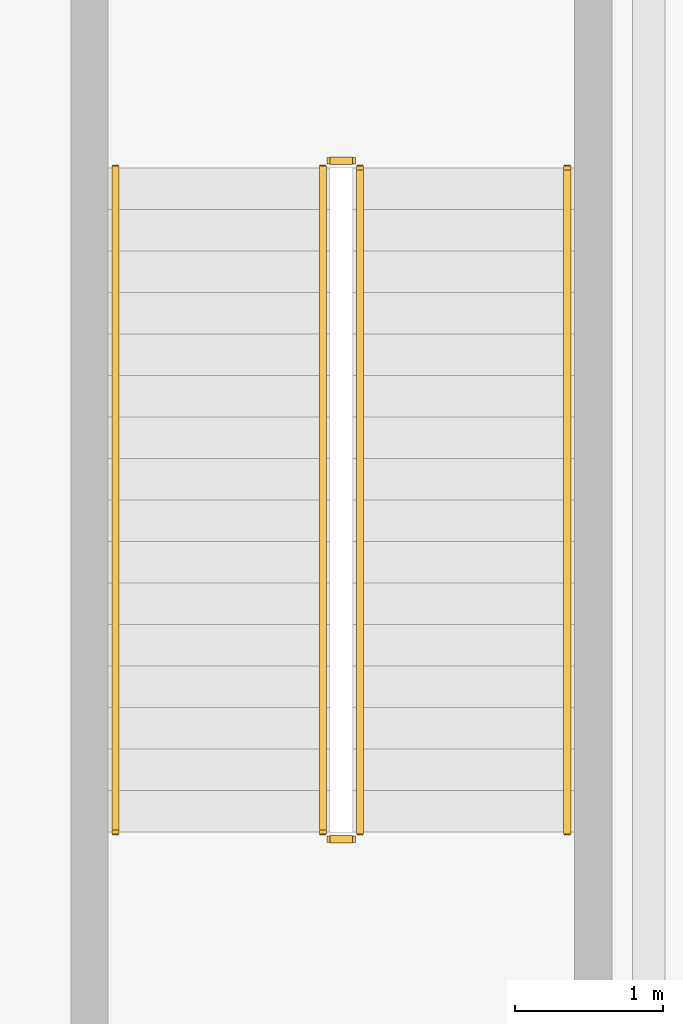
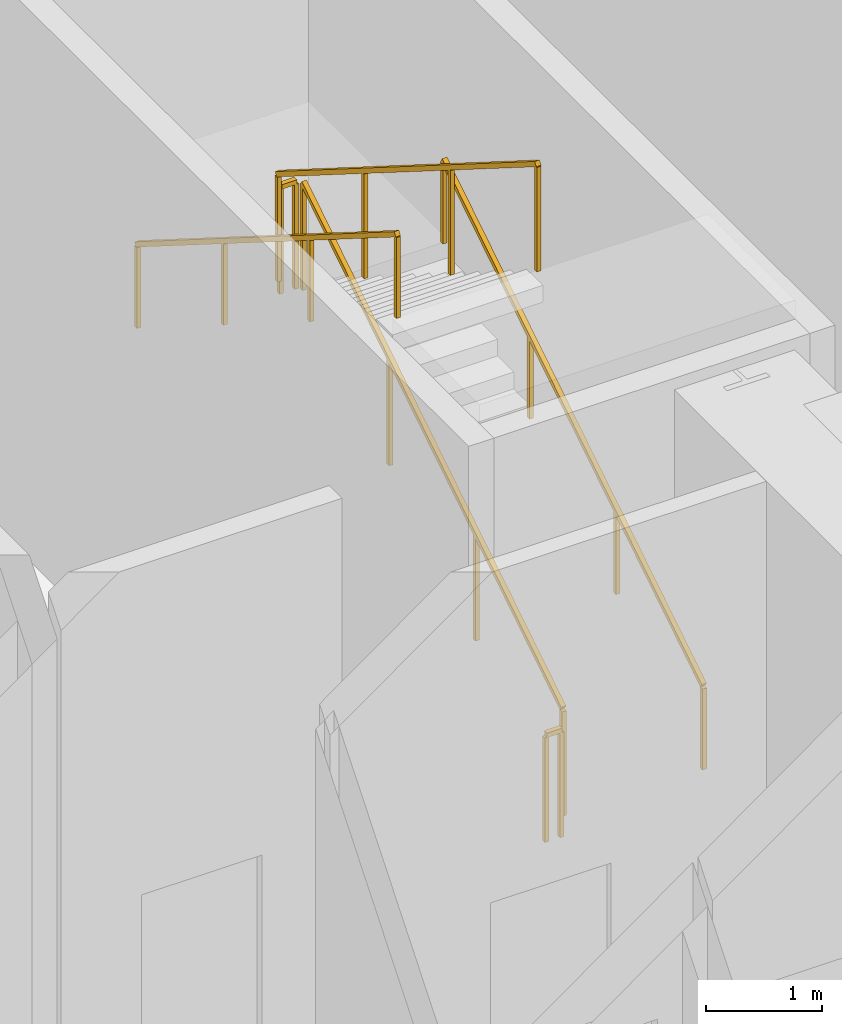
# One storey, part 22 of 25: 6 railings.
"""IFC4 building model written with IfcOpenShell, lengths in metres."""

from ifc_helpers import new_model, si_unit, direction, frame, origin, origin_2d, place, context, subcontext, project, spatial, rectangle, extrude, source, transform, mapped, material, type_object, element, save


model = new_model("IFC4")

# Units and contexts
model_context = context("Model", 3, precision=1e-05, world=origin(), true_north=direction((0.0, 1.0)))
body_context = subcontext(model_context, "Body", "Model", "MODEL_VIEW")
ifc_project = project(units=[si_unit("LENGTHUNIT", "METRE"), si_unit("AREAUNIT", "SQUARE_METRE"), si_unit("VOLUMEUNIT", "CUBIC_METRE"), si_unit("PLANEANGLEUNIT", "RADIAN"), si_unit("MASSUNIT", "GRAM", prefix="KILO")], contexts=[model_context])

# Site, building, storey
site_placement = place(None, origin())
site = spatial("IfcSite", under=ifc_project, at=site_placement, CompositionType="ELEMENT")
building_placement = place(site_placement, origin())
building = spatial("IfcBuilding", under=site, at=building_placement, Name="Vardaveli Station Tower", CompositionType="ELEMENT")
storey_placement = place(building_placement, origin())
storey = spatial("IfcBuildingStorey", under=building, at=storey_placement, Name="L01", CompositionType="ELEMENT", Elevation=0.0)

# Railings
ifc_material = material(Name="Brushed AISI 316 stainless steel", Category="steel")
railing_type_1 = type_object("IfcRailingType", Name="RL-GUARD-1150", PredefinedType="GUARDRAIL", material=ifc_material)
shared_shape_1 = source(origin(), body_context, "Body", "SweptSolid", [
    extrude(rectangle(XDim=0.048095703125, YDim=0.048095703125, at=origin_2d()), frame((0.0, 0.0, 1.1259765625), z_axis=(-1.0, 0.0, 0.0), x_axis=(0.0, -1.0, 0.0)), (0.0, 0.0, 1.0), 0.14990234375),
    extrude(rectangle(XDim=0.0419921875, YDim=0.0419921875, at=origin_2d()), origin(), (0.0, 0.0, 1.0), 1.101806640625),
    extrude(rectangle(XDim=0.0419921875, YDim=0.0419921875, at=origin_2d()), frame((-0.14990234375, 0.0, 0.0)), (0.0, 0.0, 1.0), 1.101806640625),
])
for number, where, name in (
    (1, (45.75, 36.929931640625, 3.0), "L01 ST-3 stair guard 2"),
    (2, (45.75, 32.35009765625, 0.0), "L01 ST-3 stair guard 4"),
):
    element("IfcRailing", number, at=place(storey_placement, frame(where)), inside=storey, type_object=railing_type_1, Name=name, PredefinedType="GUARDRAIL", context=body_context, shape_type="MappedRepresentation", body=[
        mapped(shared_shape_1, transform((0.0, 0.0, 0.0), scale=1.0)),
    ])
shared_shape_2 = source(origin(), body_context, "Body", "SweptSolid", [
    extrude(rectangle(XDim=0.048095703125, YDim=0.048095703125, at=origin_2d()), frame((0.0, 0.0, 1.1259765625), z_axis=(0.0, 0.845997938375, 0.533186166611), x_axis=(-1.0, 0.0, 0.0)), (0.0, 0.0, 1.0), 5.29541015625),
    extrude(rectangle(XDim=0.0419921875, YDim=0.0419921875, at=origin_2d()), origin(), (0.0, 0.0, 1.0), 1.101806640625),
    extrude(rectangle(XDim=0.0419921875, YDim=0.0419921875, at=origin_2d()), frame((0.0, 1.493408203125, 0.941162109375)), (0.0, 0.0, 1.0), 1.101806640625),
    extrude(rectangle(XDim=0.0419921875, YDim=0.0419921875, at=origin_2d()), frame((0.0, 2.986572265625, 1.88232421875)), (0.0, 0.0, 1.0), 1.101806640625),
    extrude(rectangle(XDim=0.0419921875, YDim=0.0419921875, at=origin_2d()), frame((0.0, 4.47998046875, 2.823486328125)), (0.0, 0.0, 1.0), 1.101806640625),
])
railing_1_placement = place(storey_placement, frame((45.800048828125, 32.39990234375, 0.176513671875)))
element("IfcRailing", 3, at=railing_1_placement, inside=storey, type_object=railing_type_1, Name="L01 ST-3 stair guard 1", PredefinedType="GUARDRAIL", context=body_context, shape_type="MappedRepresentation", body=[
    mapped(shared_shape_2, transform((0.0, 0.0, 0.0), scale=1.0)),
])
shared_shape_3 = source(origin(), body_context, "Body", "SweptSolid", [
    extrude(rectangle(XDim=0.048095703125, YDim=0.048095703125, at=origin_2d()), frame((0.0, 0.0, 1.1259765625), z_axis=(0.0, -0.845997938375, 0.533186166611), x_axis=(1.0, 0.0, 0.0)), (0.0, 0.0, 1.0), 5.29541015625),
    extrude(rectangle(XDim=0.0419921875, YDim=0.0419921875, at=origin_2d()), origin(), (0.0, 0.0, 1.0), 1.101806640625),
    extrude(rectangle(XDim=0.0419921875, YDim=0.0419921875, at=origin_2d()), frame((0.0, -1.493408203125, 0.941162109375)), (0.0, 0.0, 1.0), 1.101806640625),
    extrude(rectangle(XDim=0.0419921875, YDim=0.0419921875, at=origin_2d()), frame((0.0, -2.986572265625, 1.88232421875)), (0.0, 0.0, 1.0), 1.101806640625),
    extrude(rectangle(XDim=0.0419921875, YDim=0.0419921875, at=origin_2d()), frame((0.0, -4.47998046875, 2.823486328125)), (0.0, 0.0, 1.0), 1.101806640625),
])
railing_2_placement = place(storey_placement, frame((45.550048828125, 36.8798828125, 3.176513671875)))
element("IfcRailing", 4, at=railing_2_placement, inside=storey, type_object=railing_type_1, Name="L01 ST-3 stair guard 3", PredefinedType="GUARDRAIL", context=body_context, shape_type="MappedRepresentation", body=[
    mapped(shared_shape_3, transform((0.0, 0.0, 0.0), scale=1.0)),
])
railing_type_2 = type_object("IfcRailingType", Name="RL-HAND-900", PredefinedType="HANDRAIL", material=ifc_material)
shared_shape_4 = source(origin(), body_context, "Body", "SweptSolid", [
    extrude(rectangle(XDim=0.048095703125, YDim=0.048095703125, at=origin_2d()), frame((0.0, 0.0, 0.8759765625), z_axis=(0.0, 0.845997938375, 0.533186166611), x_axis=(-1.0, 0.0, 0.0)), (0.0, 0.0, 1.0), 5.29541015625),
    extrude(rectangle(XDim=0.0419921875, YDim=0.0419921875, at=origin_2d()), origin(), (0.0, 0.0, 1.0), 0.851806640625),
    extrude(rectangle(XDim=0.0419921875, YDim=0.0419921875, at=origin_2d()), frame((0.0, 1.493408203125, 0.941162109375)), (0.0, 0.0, 1.0), 0.851806640625),
    extrude(rectangle(XDim=0.0419921875, YDim=0.0419921875, at=origin_2d()), frame((0.0, 2.986572265625, 1.88232421875)), (0.0, 0.0, 1.0), 0.851806640625),
    extrude(rectangle(XDim=0.0419921875, YDim=0.0419921875, at=origin_2d()), frame((0.0, 4.47998046875, 2.823486328125)), (0.0, 0.0, 1.0), 0.851806640625),
])
railing_3_placement = place(storey_placement, frame((47.199951171875, 32.39990234375, 0.176513671875)))
element("IfcRailing", 5, at=railing_3_placement, inside=storey, type_object=railing_type_2, Name="L01 ST-3 stair handrail 1", PredefinedType="HANDRAIL", context=body_context, shape_type="MappedRepresentation", body=[
    mapped(shared_shape_4, transform((0.0, 0.0, 0.0), scale=1.0)),
])
shared_shape_5 = source(origin(), body_context, "Body", "SweptSolid", [
    extrude(rectangle(XDim=0.048095703125, YDim=0.048095703125, at=origin_2d()), frame((0.0, 0.0, 0.8759765625), z_axis=(0.0, -0.845997938375, 0.533186166611), x_axis=(1.0, 0.0, 0.0)), (0.0, 0.0, 1.0), 5.29541015625),
    extrude(rectangle(XDim=0.0419921875, YDim=0.0419921875, at=origin_2d()), origin(), (0.0, 0.0, 1.0), 0.851806640625),
    extrude(rectangle(XDim=0.0419921875, YDim=0.0419921875, at=origin_2d()), frame((0.0, -1.493408203125, 0.941162109375)), (0.0, 0.0, 1.0), 0.851806640625),
    extrude(rectangle(XDim=0.0419921875, YDim=0.0419921875, at=origin_2d()), frame((0.0, -2.986572265625, 1.88232421875)), (0.0, 0.0, 1.0), 0.851806640625),
    extrude(rectangle(XDim=0.0419921875, YDim=0.0419921875, at=origin_2d()), frame((0.0, -4.47998046875, 2.823486328125)), (0.0, 0.0, 1.0), 0.851806640625),
])
railing_4_placement = place(storey_placement, frame((44.14990234375, 36.8798828125, 3.176513671875)))
element("IfcRailing", 6, at=railing_4_placement, inside=storey, type_object=railing_type_2, Name="L01 ST-3 stair handrail 2", PredefinedType="HANDRAIL", context=body_context, shape_type="MappedRepresentation", body=[
    mapped(shared_shape_5, transform((0.0, 0.0, 0.0), scale=1.0)),
])

save(model, "model.ifc")
